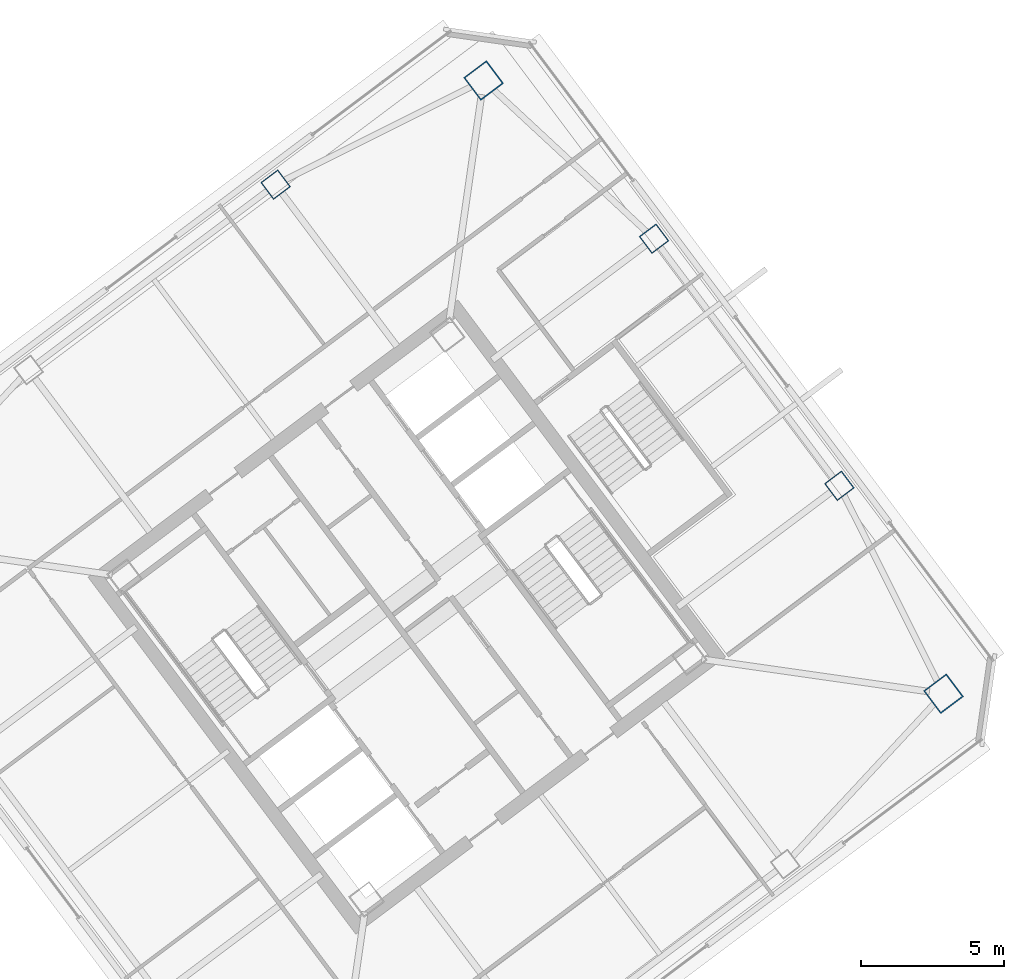
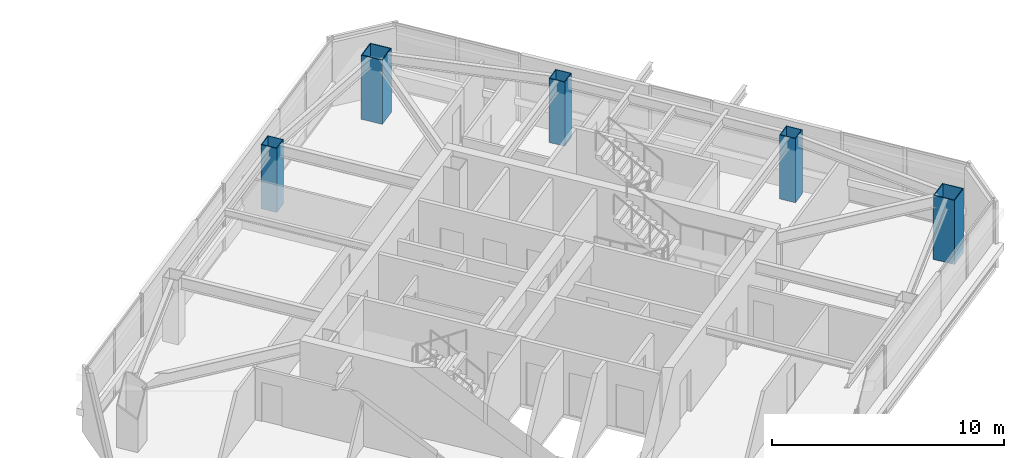
# One storey, part 2 of 44: 5 columns.
"""IFC4 building model written with IfcOpenShell, lengths in metres."""

from ifc_helpers import new_model, si_unit, direction, frame, origin, origin_2d, place, context, subcontext, project, spatial, hollow_rectangle, extrude, material, material_profile, profile_set, type_object, element, save


model = new_model("IFC4")

# Units and contexts
model_context = context("Model", 3, precision=1e-05, world=origin(), true_north=direction((0.0, 1.0)))
body_context = subcontext(model_context, "Body", "Model", "MODEL_VIEW")
ifc_project = project(units=[si_unit("LENGTHUNIT", "METRE"), si_unit("AREAUNIT", "SQUARE_METRE"), si_unit("VOLUMEUNIT", "CUBIC_METRE"), si_unit("PLANEANGLEUNIT", "RADIAN"), si_unit("MASSUNIT", "GRAM", prefix="KILO")], contexts=[model_context])

# Site, building, storey
site_placement = place(None, origin())
site = spatial("IfcSite", under=ifc_project, at=site_placement, CompositionType="ELEMENT")
building_placement = place(site_placement, origin())
building = spatial("IfcBuilding", under=site, at=building_placement, Name="Tashvorn Skyway Center", CompositionType="ELEMENT")
storey_placement = place(building_placement, frame((0.0, 0.0, 211.300048828125)))
storey = spatial("IfcBuildingStorey", under=building, at=storey_placement, Name="L57", CompositionType="ELEMENT", Elevation=211.300048828125)

# Columns
ifc_material = material(Name="Steel ASTM A572 Grade 50", Category="steel")
ifc_material_profile_1 = material_profile(ifc_material, hollow_rectangle(XDim=1.0, YDim=1.0, WallThickness=0.0400390625, at=origin_2d()), Name="BOX1000x1000x40")
ifc_profile_set_1 = profile_set([ifc_material_profile_1], Name="Steel ASTM A572 Grade 50")
column_type_1 = type_object("IfcColumnType", Name="COL-BOX1000x1000x40", PredefinedType="COLUMN", material=ifc_profile_set_1)
for number, where, z_axis, x_axis, name in (
    (1, (132.760009765625, 29.320068359375, 0.0), (0.0, 0.0, 1.0), (0.799999996291, 0.600000004945, 0.0), "Tower 2 L57 Mega-Column MC-SE"),
    (2, (116.679931640625, 50.760009765625, 0.0), (0.0, 0.0, 1.0), (0.799999996291, 0.600000004945, 0.0), "Tower 2 L57 Mega-Column MC-NE"),
):
    element("IfcColumn", number, at=place(storey_placement, frame(where, z_axis=z_axis, x_axis=x_axis)), inside=storey, type_object=column_type_1, Name=name, PredefinedType="COLUMN", context=body_context, shape_type="SweptSolid", body=[
        extrude(hollow_rectangle(XDim=1.0, YDim=1.0, WallThickness=0.0400390625, at=origin_2d()), origin(), (0.0, 0.0, 1.0), 3.369873046875),
    ])
ifc_material_profile_2 = material_profile(ifc_material, hollow_rectangle(XDim=0.75, YDim=0.75, WallThickness=0.031982421875, at=origin_2d()), Name="BOX750x750x32")
ifc_profile_set_2 = profile_set([ifc_material_profile_2], Name="Steel ASTM A572 Grade 50")
column_type_2 = type_object("IfcColumnType", Name="COL-BOX750x750x32", PredefinedType="COLUMN", material=ifc_profile_set_2)
for number, where, z_axis, x_axis, name in (
    (3, (129.1201171875, 36.590087890625, 0.0), (0.0, 0.0, 1.0), (0.799999996291, 0.600000004945, 0.0), "Tower 2 L57 Perimeter Column FC-E1"),
    (4, (122.639892578125, 45.22998046875, 0.0), (0.0, 0.0, 1.0), (0.799999996291, 0.600000004945, 0.0), "Tower 2 L57 Perimeter Column FC-E2"),
    (5, (109.409912109375, 47.1201171875, 0.0), (0.0, 0.0, 1.0), (0.799999996291, 0.600000004945, 0.0), "Tower 2 L57 Perimeter Column FC-N1"),
):
    element("IfcColumn", number, at=place(storey_placement, frame(where, z_axis=z_axis, x_axis=x_axis)), inside=storey, type_object=column_type_2, Name=name, PredefinedType="COLUMN", context=body_context, shape_type="SweptSolid", body=[
        extrude(hollow_rectangle(XDim=0.75, YDim=0.75, WallThickness=0.031982421875, at=origin_2d()), origin(), (0.0, 0.0, 1.0), 3.369873046875),
    ])

save(model, "model.ifc")
